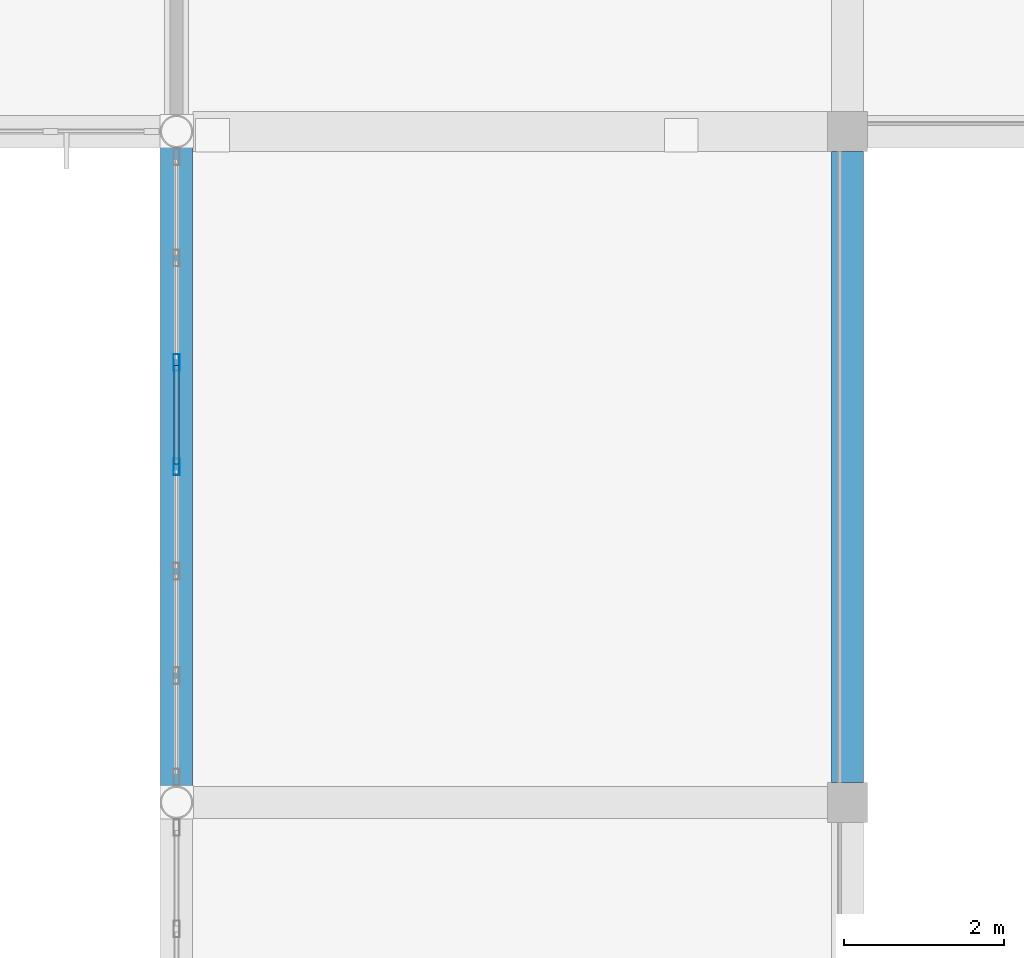
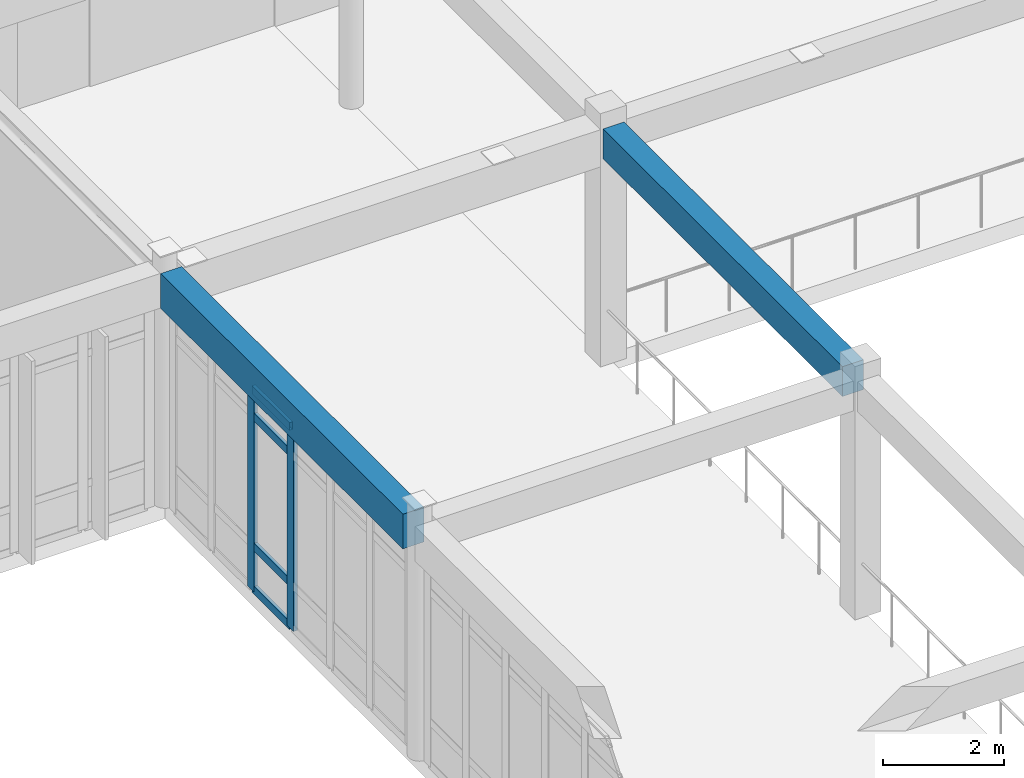
# One storey, part 15 of 134: 6 members, 2 beams, 1 element without a shape of its own.
"""IFC4 building model written with IfcOpenShell, lengths in metres."""

from ifc_helpers import new_model, si_unit, direction, frame, origin, origin_2d, place, context, subcontext, project, spatial, rectangle, hollow_rectangle, extrude, material, layer, layer_set, material_profile, profile_set, type_object, element, aggregate, save


model = new_model("IFC4")

# Units and contexts
model_context = context("Model", 3, precision=1e-05, world=origin(), true_north=direction((0.0, 1.0)))
body_context = subcontext(model_context, "Body", "Model", "MODEL_VIEW")
ifc_project = project(units=[si_unit("LENGTHUNIT", "METRE"), si_unit("AREAUNIT", "SQUARE_METRE"), si_unit("VOLUMEUNIT", "CUBIC_METRE"), si_unit("PLANEANGLEUNIT", "RADIAN"), si_unit("MASSUNIT", "GRAM", prefix="KILO")], contexts=[model_context])

# Site, building, storey
site_placement = place(None, origin())
site = spatial("IfcSite", under=ifc_project, at=site_placement, CompositionType="ELEMENT")
building_placement = place(site_placement, origin())
building = spatial("IfcBuilding", under=site, at=building_placement, Name="Bramfleet General Hospital", CompositionType="ELEMENT")
storey_placement = place(building_placement, frame((0.0, 0.0, 9.300048828125)))
storey = spatial("IfcBuildingStorey", under=building, at=storey_placement, Name="L02", CompositionType="ELEMENT", Elevation=9.300048828125)

# Beams
ifc_material_1 = material(Name="Concrete C35/45", Category="concrete")
ifc_material_profile_1 = material_profile(ifc_material_1, rectangle(XDim=0.39990234375, YDim=0.60009765625, at=origin_2d()), Name="RC BM 600x400")
ifc_profile_set_1 = profile_set([ifc_material_profile_1], Name="Concrete C35/45")
beam_type_1 = type_object("IfcBeamType", Name="BM-RC600", PredefinedType="BEAM", material=ifc_profile_set_1)
beam_1_placement = place(storey_placement, frame((58.800048828125, 42.25, 4.47998046875), z_axis=(0.0, 1.0, 0.0), x_axis=(-1.0, 0.0, 0.0)))
element("IfcBeam", 1, at=beam_1_placement, inside=storey, type_object=beam_type_1, Name="L02 Grid Beam Y 07-05", PredefinedType="BEAM", context=body_context, shape_type="SweptSolid", body=[
    extrude(rectangle(XDim=0.39990234375, YDim=0.60009765625, at=origin_2d()), origin(), (0.0, 0.0, 1.0), 7.89990234375),
])
ifc_material_profile_2 = material_profile(ifc_material_1, rectangle(XDim=0.39990234375, YDim=0.699951171875, at=origin_2d()), Name="RC SP 700x400")
ifc_profile_set_2 = profile_set([ifc_material_profile_2], Name="Concrete C35/45")
beam_type_2 = type_object("IfcBeamType", Name="BM-SP700", PredefinedType="SPANDREL", material=ifc_profile_set_2)
beam_2_placement = place(storey_placement, frame((50.39990234375, 42.203125, 4.429931640625), z_axis=(0.0, 1.0, 0.0), x_axis=(-1.0, 0.0, 0.0)))
element("IfcBeam", 2, at=beam_2_placement, inside=storey, type_object=beam_type_2, Name="L02 Grid Beam Y 06-05", PredefinedType="SPANDREL", context=body_context, shape_type="SweptSolid", body=[
    extrude(rectangle(XDim=0.39990234375, YDim=0.699951171875, at=origin_2d()), origin(), (0.0, 0.0, 1.0), 7.99365234375),
])

# Curtain wall, members
ifc_material_2 = material(Name="Anodised aluminium and low-E triple glazing", Category="aluminium")
ifc_layer = layer(ifc_material_2, 0.179931640625, Name="CWT-CW-11")
ifc_layer_set = layer_set([ifc_layer], Name="Anodised aluminium and low-E triple glazing")
curtain_wall_type = type_object("IfcCurtainWallType", Name="CWT-CW-11", PredefinedType="USERDEFINED", material=ifc_layer_set)
curtain_wall_placement = place(storey_placement, origin())
curtain_wall = element("IfcCurtainWall", 3, at=curtain_wall_placement, inside=storey, type_object=curtain_wall_type, Name="L02 Curtain Wall 137", ObjectType="Stick curtain wall", PredefinedType="USERDEFINED")
ifc_material_3 = material(Name="Anodised aluminium EN AW-6060", Category="aluminium")
ifc_material_profile_3 = material_profile(ifc_material_3, hollow_rectangle(XDim=0.074951171875, YDim=0.2099609375, WallThickness=0.00439453125, at=origin_2d()), Name="ALU 210x75x4.5")
ifc_profile_set_3 = profile_set([ifc_material_profile_3], Name="Anodised aluminium EN AW-6060")
member_type_1 = type_object("IfcMemberType", Name="CWM-ALU210", PredefinedType="MULLION", material=ifc_profile_set_3)
member_1_placement = place(storey_placement, frame((50.39990234375, 46.199951171875, 0.0), z_axis=(0.0, 0.0, 1.0), x_axis=(-1.0, 0.0, 0.0)))
member_1 = element("IfcMember", 4, at=member_1_placement, type_object=member_type_1, Name="CW-11 mullion 4", PredefinedType="MULLION", context=body_context, shape_type="SweptSolid", body=[
    extrude(hollow_rectangle(XDim=0.074951171875, YDim=0.2099609375, WallThickness=0.00439453125, at=origin_2d()), origin(), (0.0, 0.0, 1.0), 4.070068359375),
])
member_2_placement = place(storey_placement, frame((50.39990234375, 47.50732421875, 0.0), z_axis=(0.0, 0.0, 1.0), x_axis=(-1.0, 0.0, 0.0)))
member_2 = element("IfcMember", 5, at=member_2_placement, type_object=member_type_1, Name="CW-11 mullion 5", PredefinedType="MULLION", context=body_context, shape_type="SweptSolid", body=[
    extrude(hollow_rectangle(XDim=0.074951171875, YDim=0.2099609375, WallThickness=0.00439453125, at=origin_2d()), origin(), (0.0, 0.0, 1.0), 4.070068359375),
])
ifc_material_profile_4 = material_profile(ifc_material_3, hollow_rectangle(XDim=0.06494140625, YDim=0.159912109375, WallThickness=0.00390625, at=origin_2d()), Name="ALU 160x65x4.0")
ifc_profile_set_4 = profile_set([ifc_material_profile_4], Name="Anodised aluminium EN AW-6060")
member_type_2 = type_object("IfcMemberType", Name="CWT-ALU160", PredefinedType="USERDEFINED", material=ifc_profile_set_4)
member_3_placement = place(storey_placement, frame((50.39990234375, 46.237548828125, 0.032470703125), z_axis=(0.0, 1.0, 0.0), x_axis=(-1.0, 0.0, 0.0)))
member_3 = element("IfcMember", 6, at=member_3_placement, type_object=member_type_2, Name="CW-11 transom 4.1", ObjectType="TRANSOM", PredefinedType="USERDEFINED", context=body_context, shape_type="SweptSolid", body=[
    extrude(hollow_rectangle(XDim=0.06494140625, YDim=0.159912109375, WallThickness=0.00390625, at=origin_2d()), origin(), (0.0, 0.0, 1.0), 1.232177734375),
])
member_4_placement = place(storey_placement, frame((50.39990234375, 46.237548828125, 0.89990234375), z_axis=(0.0, 1.0, 0.0), x_axis=(-1.0, 0.0, 0.0)))
member_4 = element("IfcMember", 7, at=member_4_placement, type_object=member_type_2, Name="CW-11 transom 4.2", ObjectType="TRANSOM", PredefinedType="USERDEFINED", context=body_context, shape_type="SweptSolid", body=[
    extrude(hollow_rectangle(XDim=0.06494140625, YDim=0.159912109375, WallThickness=0.00390625, at=origin_2d()), origin(), (0.0, 0.0, 1.0), 1.232177734375),
])
member_5_placement = place(storey_placement, frame((50.39990234375, 46.237548828125, 3.52001953125), z_axis=(0.0, 1.0, 0.0), x_axis=(-1.0, 0.0, 0.0)))
member_5 = element("IfcMember", 8, at=member_5_placement, type_object=member_type_2, Name="CW-11 transom 4.3", ObjectType="TRANSOM", PredefinedType="USERDEFINED", context=body_context, shape_type="SweptSolid", body=[
    extrude(hollow_rectangle(XDim=0.06494140625, YDim=0.159912109375, WallThickness=0.00390625, at=origin_2d()), origin(), (0.0, 0.0, 1.0), 1.232177734375),
])
member_6_placement = place(storey_placement, frame((50.39990234375, 46.237548828125, 4.037353515625), z_axis=(0.0, 1.0, 0.0), x_axis=(-1.0, 0.0, 0.0)))
member_6 = element("IfcMember", 9, at=member_6_placement, type_object=member_type_2, Name="CW-11 transom 4.4", ObjectType="TRANSOM", PredefinedType="USERDEFINED", context=body_context, shape_type="SweptSolid", body=[
    extrude(hollow_rectangle(XDim=0.06494140625, YDim=0.159912109375, WallThickness=0.00390625, at=origin_2d()), origin(), (0.0, 0.0, 1.0), 1.232177734375),
])
aggregate(curtain_wall, [member_1, member_2, member_3, member_4, member_5, member_6])

save(model, "model.ifc")
